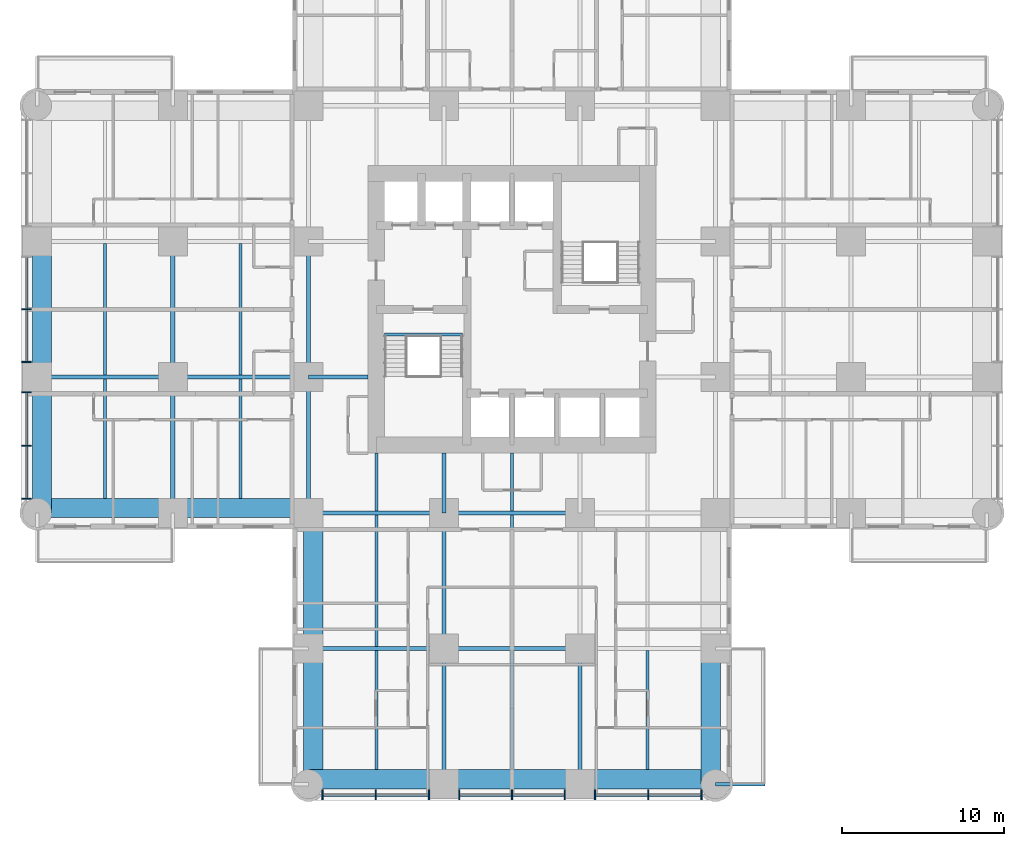
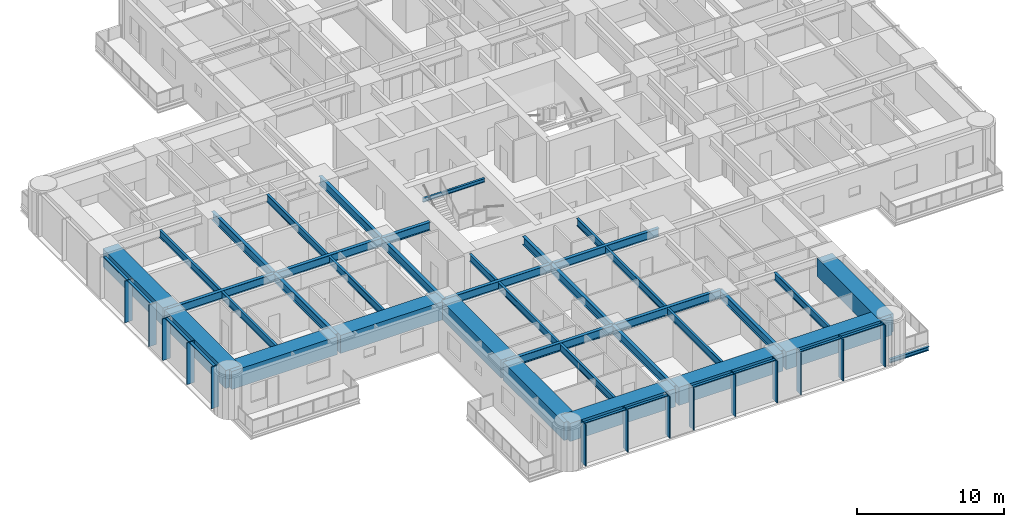
# One storey, part 2 of 17: 38 beams, 24 members, 2 elements without a shape of their own.
"""IFC4 building model written with IfcOpenShell, lengths in metres."""

from ifc_helpers import new_model, si_unit, direction, frame, origin, origin_2d, place, context, subcontext, project, spatial, rectangle, i_section, extrude, material, material_profile, profile_set, type_object, element, aggregate, save


model = new_model("IFC4")

# Units and contexts
model_context = context("Model", 3, precision=1e-05, world=origin(), true_north=direction((0.0, 1.0)))
body_context = subcontext(model_context, "Body", "Model", "MODEL_VIEW")
ifc_project = project(units=[si_unit("LENGTHUNIT", "METRE"), si_unit("AREAUNIT", "SQUARE_METRE"), si_unit("VOLUMEUNIT", "CUBIC_METRE"), si_unit("PLANEANGLEUNIT", "RADIAN"), si_unit("MASSUNIT", "GRAM", prefix="KILO")], contexts=[model_context])

# Site, building, storey
site_placement = place(None, origin())
site = spatial("IfcSite", under=ifc_project, at=site_placement, CompositionType="ELEMENT")
building_placement = place(site_placement, origin())
building = spatial("IfcBuilding", under=site, at=building_placement, Name="Torre Alcanfor", CompositionType="ELEMENT")
storey_placement = place(building_placement, frame((0.0, 0.0, 88.5)))
storey = spatial("IfcBuildingStorey", under=building, at=storey_placement, Name="L22", CompositionType="ELEMENT", Elevation=88.5)

# Beam
ifc_material_1 = material(Name="Steel ASTM A992 Grade 50", Category="steel")
ifc_material_profile_1 = material_profile(ifc_material_1, i_section(OverallWidth=0.205322265625, OverallDepth=0.309814453125, WebThickness=0.00927734375, FlangeThickness=0.016357421875, at=origin_2d()), Name="W12x50")
ifc_profile_set_1 = profile_set([ifc_material_profile_1], Name="Steel ASTM A992 Grade 50")
beam_type_1 = type_object("IfcBeamType", Name="Balcony cantilever beam W12x50", PredefinedType="BEAM", material=ifc_profile_set_1)
beam_1_placement = place(storey_placement, frame((42.0, 0.0, -0.35498046875), z_axis=(1.0, 0.0, 0.0), x_axis=(0.0, 1.0, 0.0)))
element("IfcBeam", 1, at=beam_1_placement, inside=storey, type_object=beam_type_1, Name="Balcony cantilever beam L22-S1 2", PredefinedType="BEAM", context=body_context, shape_type="SweptSolid", body=[
    extrude(i_section(OverallWidth=0.205322265625, OverallDepth=0.309814453125, WebThickness=0.00927734375, FlangeThickness=0.016357421875, at=origin_2d()), origin(), (0.0, 0.0, 1.0), 3.050048828125),
])

# Curtain wall, members
ifc_material_2 = material(Name="Aluminium and glass", Category="aluminium")
curtain_wall_type = type_object("IfcCurtainWallType", Name="CW-A unitised apartment glazing with vertical FIN", PredefinedType="NOTDEFINED", material=ifc_material_2)
curtain_wall_1_placement = place(storey_placement, origin())
curtain_wall_1 = element("IfcCurtainWall", 2, at=curtain_wall_1_placement, inside=storey, type_object=curtain_wall_type, Name="Curtain wall CW-A L22 2", PredefinedType="NOTDEFINED")
ifc_material_3 = material(Name="Bronze anodised aluminium", Category="aluminium")
ifc_material_profile_2 = material_profile(ifc_material_3, rectangle(XDim=0.60009765625, YDim=0.06494140625, at=origin_2d()), Name="CW-A mullion 65x600")
ifc_profile_set_2 = profile_set([ifc_material_profile_2], Name="Bronze anodised aluminium")
member_type_1 = type_object("IfcMemberType", Name="CW-A mullion with vertical FIN 65x600", PredefinedType="MULLION", material=ifc_profile_set_2)
member_1_placement = place(storey_placement, frame((-0.64990234375, 29.39990234375, 0.0), z_axis=(0.0, 0.0, 1.0), x_axis=(1.0, 0.0, 0.0)))
member_1 = element("IfcMember", 3, at=member_1_placement, type_object=member_type_1, Name="CW-A mullion 2.2", PredefinedType="MULLION", context=body_context, shape_type="SweptSolid", body=[
    extrude(rectangle(XDim=0.60009765625, YDim=0.06494140625, at=origin_2d()), origin(), (0.0, 0.0, 1.0), 3.449951171875),
])
member_2_placement = place(storey_placement, frame((-0.64990234375, 26.137451171875, 0.0), z_axis=(0.0, 0.0, 1.0), x_axis=(1.0, 0.0, 0.0)))
member_2 = element("IfcMember", 4, at=member_2_placement, type_object=member_type_1, Name="CW-A mullion 2.3", PredefinedType="MULLION", context=body_context, shape_type="SweptSolid", body=[
    extrude(rectangle(XDim=0.60009765625, YDim=0.06494140625, at=origin_2d()), origin(), (0.0, 0.0, 1.0), 3.449951171875),
])
member_3_placement = place(storey_placement, frame((-0.64990234375, 24.262451171875, 0.0), z_axis=(0.0, 0.0, 1.0), x_axis=(1.0, 0.0, 0.0)))
member_3 = element("IfcMember", 5, at=member_3_placement, type_object=member_type_1, Name="CW-A mullion 3.1", PredefinedType="MULLION", context=body_context, shape_type="SweptSolid", body=[
    extrude(rectangle(XDim=0.60009765625, YDim=0.06494140625, at=origin_2d()), origin(), (0.0, 0.0, 1.0), 3.449951171875),
])
member_4_placement = place(storey_placement, frame((-0.64990234375, 20.96484375, 0.0), z_axis=(0.0, 0.0, 1.0), x_axis=(1.0, 0.0, 0.0)))
member_4 = element("IfcMember", 6, at=member_4_placement, type_object=member_type_1, Name="CW-A mullion 3.2", PredefinedType="MULLION", context=body_context, shape_type="SweptSolid", body=[
    extrude(rectangle(XDim=0.60009765625, YDim=0.06494140625, at=origin_2d()), origin(), (0.0, 0.0, 1.0), 3.449951171875),
])
member_5_placement = place(storey_placement, frame((-0.64990234375, 17.6669921875, 0.0), z_axis=(0.0, 0.0, 1.0), x_axis=(1.0, 0.0, 0.0)))
member_5 = element("IfcMember", 7, at=member_5_placement, type_object=member_type_1, Name="CW-A mullion 3.3", PredefinedType="MULLION", context=body_context, shape_type="SweptSolid", body=[
    extrude(rectangle(XDim=0.60009765625, YDim=0.06494140625, at=origin_2d()), origin(), (0.0, 0.0, 1.0), 3.449951171875),
])

curtain_wall_2_placement = place(storey_placement, origin())
curtain_wall_2 = element("IfcCurtainWall", 8, at=curtain_wall_2_placement, inside=storey, type_object=curtain_wall_type, Name="Curtain wall CW-A L22 5", PredefinedType="NOTDEFINED")
member_6_placement = place(storey_placement, frame((17.6669921875, -0.64990234375, 0.0), z_axis=(0.0, 0.0, 1.0), x_axis=(0.0, 1.0, 0.0)))
member_6 = element("IfcMember", 9, at=member_6_placement, type_object=member_type_1, Name="CW-A mullion 1.1", PredefinedType="MULLION", context=body_context, shape_type="SweptSolid", body=[
    extrude(rectangle(XDim=0.60009765625, YDim=0.06494140625, at=origin_2d()), origin(), (0.0, 0.0, 1.0), 3.449951171875),
])
member_7_placement = place(storey_placement, frame((20.96484375, -0.64990234375, 0.0), z_axis=(0.0, 0.0, 1.0), x_axis=(0.0, 1.0, 0.0)))
member_7 = element("IfcMember", 10, at=member_7_placement, type_object=member_type_1, Name="CW-A mullion 1.2", PredefinedType="MULLION", context=body_context, shape_type="SweptSolid", body=[
    extrude(rectangle(XDim=0.60009765625, YDim=0.06494140625, at=origin_2d()), origin(), (0.0, 0.0, 1.0), 3.449951171875),
])
member_8_placement = place(storey_placement, frame((24.262451171875, -0.64990234375, 0.0), z_axis=(0.0, 0.0, 1.0), x_axis=(0.0, 1.0, 0.0)))
member_8 = element("IfcMember", 11, at=member_8_placement, type_object=member_type_1, Name="CW-A mullion 1.3", PredefinedType="MULLION", context=body_context, shape_type="SweptSolid", body=[
    extrude(rectangle(XDim=0.60009765625, YDim=0.06494140625, at=origin_2d()), origin(), (0.0, 0.0, 1.0), 3.449951171875),
])
member_9_placement = place(storey_placement, frame((26.137451171875, -0.64990234375, 0.0), z_axis=(0.0, 0.0, 1.0), x_axis=(0.0, 1.0, 0.0)))
member_9 = element("IfcMember", 12, at=member_9_placement, type_object=member_type_1, Name="CW-A mullion 2.1", PredefinedType="MULLION", context=body_context, shape_type="SweptSolid", body=[
    extrude(rectangle(XDim=0.60009765625, YDim=0.06494140625, at=origin_2d()), origin(), (0.0, 0.0, 1.0), 3.449951171875),
])
member_10_placement = place(storey_placement, frame((29.39990234375, -0.64990234375, 0.0), z_axis=(0.0, 0.0, 1.0), x_axis=(0.0, 1.0, 0.0)))
member_10 = element("IfcMember", 13, at=member_10_placement, type_object=member_type_1, Name="CW-A mullion 2.2", PredefinedType="MULLION", context=body_context, shape_type="SweptSolid", body=[
    extrude(rectangle(XDim=0.60009765625, YDim=0.06494140625, at=origin_2d()), origin(), (0.0, 0.0, 1.0), 3.449951171875),
])
member_11_placement = place(storey_placement, frame((32.66259765625, -0.64990234375, 0.0), z_axis=(0.0, 0.0, 1.0), x_axis=(0.0, 1.0, 0.0)))
member_11 = element("IfcMember", 14, at=member_11_placement, type_object=member_type_1, Name="CW-A mullion 2.3", PredefinedType="MULLION", context=body_context, shape_type="SweptSolid", body=[
    extrude(rectangle(XDim=0.60009765625, YDim=0.06494140625, at=origin_2d()), origin(), (0.0, 0.0, 1.0), 3.449951171875),
])
member_12_placement = place(storey_placement, frame((34.53759765625, -0.64990234375, 0.0), z_axis=(0.0, 0.0, 1.0), x_axis=(0.0, 1.0, 0.0)))
member_12 = element("IfcMember", 15, at=member_12_placement, type_object=member_type_1, Name="CW-A mullion 3.1", PredefinedType="MULLION", context=body_context, shape_type="SweptSolid", body=[
    extrude(rectangle(XDim=0.60009765625, YDim=0.06494140625, at=origin_2d()), origin(), (0.0, 0.0, 1.0), 3.449951171875),
])
member_13_placement = place(storey_placement, frame((37.835205078125, -0.64990234375, 0.0), z_axis=(0.0, 0.0, 1.0), x_axis=(0.0, 1.0, 0.0)))
member_13 = element("IfcMember", 16, at=member_13_placement, type_object=member_type_1, Name="CW-A mullion 3.2", PredefinedType="MULLION", context=body_context, shape_type="SweptSolid", body=[
    extrude(rectangle(XDim=0.60009765625, YDim=0.06494140625, at=origin_2d()), origin(), (0.0, 0.0, 1.0), 3.449951171875),
])
member_14_placement = place(storey_placement, frame((41.133056640625, -0.64990234375, 0.0), z_axis=(0.0, 0.0, 1.0), x_axis=(0.0, 1.0, 0.0)))
member_14 = element("IfcMember", 17, at=member_14_placement, type_object=member_type_1, Name="CW-A mullion 3.3", PredefinedType="MULLION", context=body_context, shape_type="SweptSolid", body=[
    extrude(rectangle(XDim=0.60009765625, YDim=0.06494140625, at=origin_2d()), origin(), (0.0, 0.0, 1.0), 3.449951171875),
])

# Member
ifc_material_4 = material(Name="Extruded aluminium", Category="aluminium")
ifc_material_profile_3 = material_profile(ifc_material_4, rectangle(XDim=0.199951171875, YDim=0.06494140625, at=origin_2d()), Name="CW-A transom 200x65")
ifc_profile_set_3 = profile_set([ifc_material_profile_3], Name="Extruded aluminium")
member_type_2 = type_object("IfcMemberType", Name="CW-A transom 65x200", PredefinedType="USERDEFINED", material=ifc_profile_set_3)
member_15_placement = place(storey_placement, frame((-0.64990234375, 32.6298828125, 3.41748046875), z_axis=(0.0, -1.0, 0.0), x_axis=(1.0, 0.0, 0.0)))
member_15 = element("IfcMember", 18, at=member_15_placement, type_object=member_type_2, Name="CW-A transom 2.1.2", ObjectType="TRANSOM", PredefinedType="USERDEFINED", context=body_context, shape_type="SweptSolid", body=[
    extrude(rectangle(XDim=0.199951171875, YDim=0.06494140625, at=origin_2d()), origin(), (0.0, 0.0, 1.0), 3.197265625),
])

member_16_placement = place(storey_placement, frame((-0.64990234375, 29.367431640625, 3.41748046875), z_axis=(0.0, -1.0, 0.0), x_axis=(1.0, 0.0, 0.0)))
member_16 = element("IfcMember", 19, at=member_16_placement, type_object=member_type_2, Name="CW-A transom 2.2.2", ObjectType="TRANSOM", PredefinedType="USERDEFINED", context=body_context, shape_type="SweptSolid", body=[
    extrude(rectangle(XDim=0.199951171875, YDim=0.06494140625, at=origin_2d()), origin(), (0.0, 0.0, 1.0), 3.197509765625),
])

member_17_placement = place(storey_placement, frame((-0.64990234375, 24.22998046875, 3.41748046875), z_axis=(0.0, -1.0, 0.0), x_axis=(1.0, 0.0, 0.0)))
member_17 = element("IfcMember", 20, at=member_17_placement, type_object=member_type_2, Name="CW-A transom 3.1.2", ObjectType="TRANSOM", PredefinedType="USERDEFINED", context=body_context, shape_type="SweptSolid", body=[
    extrude(rectangle(XDim=0.199951171875, YDim=0.06494140625, at=origin_2d()), origin(), (0.0, 0.0, 1.0), 3.232666015625),
])

member_18_placement = place(storey_placement, frame((-0.64990234375, 20.93212890625, 3.41748046875), z_axis=(0.0, -1.0, 0.0), x_axis=(1.0, 0.0, 0.0)))
member_18 = element("IfcMember", 21, at=member_18_placement, type_object=member_type_2, Name="CW-A transom 3.2.2", ObjectType="TRANSOM", PredefinedType="USERDEFINED", context=body_context, shape_type="SweptSolid", body=[
    extrude(rectangle(XDim=0.199951171875, YDim=0.06494140625, at=origin_2d()), origin(), (0.0, 0.0, 1.0), 3.232666015625),
])

aggregate(curtain_wall_1, [member_1, member_2, member_15, member_16, member_3, member_4, member_5, member_17, member_18])

member_19_placement = place(storey_placement, frame((17.699462890625, -0.64990234375, 3.41748046875), z_axis=(1.0, 0.0, 0.0), x_axis=(0.0, 1.0, 0.0)))
member_19 = element("IfcMember", 22, at=member_19_placement, type_object=member_type_2, Name="CW-A transom 1.1.2", ObjectType="TRANSOM", PredefinedType="USERDEFINED", context=body_context, shape_type="SweptSolid", body=[
    extrude(rectangle(XDim=0.199951171875, YDim=0.06494140625, at=origin_2d()), origin(), (0.0, 0.0, 1.0), 3.232666015625),
])

member_20_placement = place(storey_placement, frame((20.997314453125, -0.64990234375, 3.41748046875), z_axis=(1.0, 0.0, 0.0), x_axis=(0.0, 1.0, 0.0)))
member_20 = element("IfcMember", 23, at=member_20_placement, type_object=member_type_2, Name="CW-A transom 1.2.2", ObjectType="TRANSOM", PredefinedType="USERDEFINED", context=body_context, shape_type="SweptSolid", body=[
    extrude(rectangle(XDim=0.199951171875, YDim=0.06494140625, at=origin_2d()), origin(), (0.0, 0.0, 1.0), 3.232666015625),
])

member_21_placement = place(storey_placement, frame((26.169921875, -0.64990234375, 3.41748046875), z_axis=(1.0, 0.0, 0.0), x_axis=(0.0, 1.0, 0.0)))
member_21 = element("IfcMember", 24, at=member_21_placement, type_object=member_type_2, Name="CW-A transom 2.1.2", ObjectType="TRANSOM", PredefinedType="USERDEFINED", context=body_context, shape_type="SweptSolid", body=[
    extrude(rectangle(XDim=0.199951171875, YDim=0.06494140625, at=origin_2d()), origin(), (0.0, 0.0, 1.0), 3.197509765625),
])

member_22_placement = place(storey_placement, frame((29.4326171875, -0.64990234375, 3.41748046875), z_axis=(1.0, 0.0, 0.0), x_axis=(0.0, 1.0, 0.0)))
member_22 = element("IfcMember", 25, at=member_22_placement, type_object=member_type_2, Name="CW-A transom 2.2.2", ObjectType="TRANSOM", PredefinedType="USERDEFINED", context=body_context, shape_type="SweptSolid", body=[
    extrude(rectangle(XDim=0.199951171875, YDim=0.06494140625, at=origin_2d()), origin(), (0.0, 0.0, 1.0), 3.197265625),
])

member_23_placement = place(storey_placement, frame((34.570068359375, -0.64990234375, 3.41748046875), z_axis=(1.0, 0.0, 0.0), x_axis=(0.0, 1.0, 0.0)))
member_23 = element("IfcMember", 26, at=member_23_placement, type_object=member_type_2, Name="CW-A transom 3.1.2", ObjectType="TRANSOM", PredefinedType="USERDEFINED", context=body_context, shape_type="SweptSolid", body=[
    extrude(rectangle(XDim=0.199951171875, YDim=0.06494140625, at=origin_2d()), origin(), (0.0, 0.0, 1.0), 3.232666015625),
])

member_24_placement = place(storey_placement, frame((37.86767578125, -0.64990234375, 3.41748046875), z_axis=(1.0, 0.0, 0.0), x_axis=(0.0, 1.0, 0.0)))
member_24 = element("IfcMember", 27, at=member_24_placement, type_object=member_type_2, Name="CW-A transom 3.2.2", ObjectType="TRANSOM", PredefinedType="USERDEFINED", context=body_context, shape_type="SweptSolid", body=[
    extrude(rectangle(XDim=0.199951171875, YDim=0.06494140625, at=origin_2d()), origin(), (0.0, 0.0, 1.0), 3.23291015625),
])

aggregate(curtain_wall_2, [member_6, member_7, member_8, member_19, member_20, member_9, member_10, member_11, member_21, member_22, member_12, member_13, member_14, member_23, member_24])

# Beams
ifc_material_5 = material(Name="Steel ASTM A992 Grade 50", Category="steel")
ifc_material_profile_4 = material_profile(ifc_material_5, i_section(OverallWidth=0.25390625, OverallDepth=0.683349609375, WebThickness=0.012451171875, FlangeThickness=0.01904296875, at=origin_2d()), Name="W27x94")
ifc_profile_set_4 = profile_set([ifc_material_profile_4], Name="Steel ASTM A992 Grade 50")
beam_type_2 = type_object("IfcBeamType", Name="Girder W27x94", PredefinedType="BEAM", material=ifc_profile_set_4)
beam_2_placement = place(storey_placement, frame((16.800048828125, 8.39990234375, 3.1083984375), z_axis=(1.0, 0.0, 0.0), x_axis=(0.0, 1.0, 0.0)))
element("IfcBeam", 28, at=beam_2_placement, inside=storey, type_object=beam_type_2, Name="Beam 3D-4D under L23", PredefinedType="BEAM", context=body_context, shape_type="SweptSolid", body=[
    extrude(i_section(OverallWidth=0.25390625, OverallDepth=0.683349609375, WebThickness=0.012451171875, FlangeThickness=0.01904296875, at=origin_2d()), origin(), (0.0, 0.0, 1.0), 8.39990234375),
])
beam_3_placement = place(storey_placement, frame((25.199951171875, 8.39990234375, 3.1083984375), z_axis=(1.0, 0.0, 0.0), x_axis=(0.0, 1.0, 0.0)))
element("IfcBeam", 29, at=beam_3_placement, inside=storey, type_object=beam_type_2, Name="Beam 4D-5D under L23", PredefinedType="BEAM", context=body_context, shape_type="SweptSolid", body=[
    extrude(i_section(OverallWidth=0.25390625, OverallDepth=0.683349609375, WebThickness=0.012451171875, FlangeThickness=0.01904296875, at=origin_2d()), origin(), (0.0, 0.0, 1.0), 8.400146484375),
])
beam_4_placement = place(storey_placement, frame((16.800048828125, 16.800048828125, 3.1083984375), z_axis=(1.0, 0.0, 0.0), x_axis=(0.0, 1.0, 0.0)))
element("IfcBeam", 30, at=beam_4_placement, inside=storey, type_object=beam_type_2, Name="Beam 3E-4E under L23", PredefinedType="BEAM", context=body_context, shape_type="SweptSolid", body=[
    extrude(i_section(OverallWidth=0.25390625, OverallDepth=0.683349609375, WebThickness=0.012451171875, FlangeThickness=0.01904296875, at=origin_2d()), origin(), (0.0, 0.0, 1.0), 8.39990234375),
])
beam_5_placement = place(storey_placement, frame((25.199951171875, 16.800048828125, 3.1083984375), z_axis=(1.0, 0.0, 0.0), x_axis=(0.0, 1.0, 0.0)))
element("IfcBeam", 31, at=beam_5_placement, inside=storey, type_object=beam_type_2, Name="Beam 4E-5E under L23", PredefinedType="BEAM", context=body_context, shape_type="SweptSolid", body=[
    extrude(i_section(OverallWidth=0.25390625, OverallDepth=0.683349609375, WebThickness=0.012451171875, FlangeThickness=0.01904296875, at=origin_2d()), origin(), (0.0, 0.0, 1.0), 8.400146484375),
])
beam_6_placement = place(storey_placement, frame((0.0, 25.199951171875, 3.1083984375), z_axis=(1.0, 0.0, 0.0), x_axis=(0.0, 1.0, 0.0)))
element("IfcBeam", 32, at=beam_6_placement, inside=storey, type_object=beam_type_2, Name="Beam 1F-2F under L23", PredefinedType="BEAM", context=body_context, shape_type="SweptSolid", body=[
    extrude(i_section(OverallWidth=0.25390625, OverallDepth=0.683349609375, WebThickness=0.012451171875, FlangeThickness=0.01904296875, at=origin_2d()), origin(), (0.0, 0.0, 1.0), 8.39990234375),
])
beam_7_placement = place(storey_placement, frame((8.39990234375, 25.199951171875, 3.1083984375), z_axis=(1.0, 0.0, 0.0), x_axis=(0.0, 1.0, 0.0)))
element("IfcBeam", 33, at=beam_7_placement, inside=storey, type_object=beam_type_2, Name="Beam 2F-3F under L23", PredefinedType="BEAM", context=body_context, shape_type="SweptSolid", body=[
    extrude(i_section(OverallWidth=0.25390625, OverallDepth=0.683349609375, WebThickness=0.012451171875, FlangeThickness=0.01904296875, at=origin_2d()), origin(), (0.0, 0.0, 1.0), 8.400146484375),
])
beam_8_placement = place(storey_placement, frame((8.39990234375, 16.800048828125, 3.1083984375), z_axis=(0.0, 1.0, 0.0), x_axis=(-1.0, 0.0, 0.0)))
element("IfcBeam", 34, at=beam_8_placement, inside=storey, type_object=beam_type_2, Name="Beam 2E-2F under L23", PredefinedType="BEAM", context=body_context, shape_type="SweptSolid", body=[
    extrude(i_section(OverallWidth=0.25390625, OverallDepth=0.683349609375, WebThickness=0.012451171875, FlangeThickness=0.01904296875, at=origin_2d()), origin(), (0.0, 0.0, 1.0), 8.39990234375),
])
beam_9_placement = place(storey_placement, frame((8.39990234375, 25.199951171875, 3.1083984375), z_axis=(0.0, 1.0, 0.0), x_axis=(-1.0, 0.0, 0.0)))
element("IfcBeam", 35, at=beam_9_placement, inside=storey, type_object=beam_type_2, Name="Beam 2F-2G under L23", PredefinedType="BEAM", context=body_context, shape_type="SweptSolid", body=[
    extrude(i_section(OverallWidth=0.25390625, OverallDepth=0.683349609375, WebThickness=0.012451171875, FlangeThickness=0.01904296875, at=origin_2d()), origin(), (0.0, 0.0, 1.0), 8.400146484375),
])
beam_10_placement = place(storey_placement, frame((16.800048828125, 16.800048828125, 3.1083984375), z_axis=(0.0, 1.0, 0.0), x_axis=(-1.0, 0.0, 0.0)))
element("IfcBeam", 36, at=beam_10_placement, inside=storey, type_object=beam_type_2, Name="Beam 3E-3F under L23", PredefinedType="BEAM", context=body_context, shape_type="SweptSolid", body=[
    extrude(i_section(OverallWidth=0.25390625, OverallDepth=0.683349609375, WebThickness=0.012451171875, FlangeThickness=0.01904296875, at=origin_2d()), origin(), (0.0, 0.0, 1.0), 8.39990234375),
])
beam_11_placement = place(storey_placement, frame((16.800048828125, 25.199951171875, 3.1083984375), z_axis=(0.0, 1.0, 0.0), x_axis=(-1.0, 0.0, 0.0)))
element("IfcBeam", 37, at=beam_11_placement, inside=storey, type_object=beam_type_2, Name="Beam 3F-3G under L23", PredefinedType="BEAM", context=body_context, shape_type="SweptSolid", body=[
    extrude(i_section(OverallWidth=0.25390625, OverallDepth=0.683349609375, WebThickness=0.012451171875, FlangeThickness=0.01904296875, at=origin_2d()), origin(), (0.0, 0.0, 1.0), 8.400146484375),
])
beam_12_placement = place(storey_placement, frame((25.199951171875, 0.0, 3.1083984375), z_axis=(0.0, 1.0, 0.0), x_axis=(-1.0, 0.0, 0.0)))
element("IfcBeam", 38, at=beam_12_placement, inside=storey, type_object=beam_type_2, Name="Beam 4C-4D under L23", PredefinedType="BEAM", context=body_context, shape_type="SweptSolid", body=[
    extrude(i_section(OverallWidth=0.25390625, OverallDepth=0.683349609375, WebThickness=0.012451171875, FlangeThickness=0.01904296875, at=origin_2d()), origin(), (0.0, 0.0, 1.0), 8.39990234375),
])
beam_13_placement = place(storey_placement, frame((25.199951171875, 8.39990234375, 3.1083984375), z_axis=(0.0, 1.0, 0.0), x_axis=(-1.0, 0.0, 0.0)))
element("IfcBeam", 39, at=beam_13_placement, inside=storey, type_object=beam_type_2, Name="Beam 4D-4E under L23", PredefinedType="BEAM", context=body_context, shape_type="SweptSolid", body=[
    extrude(i_section(OverallWidth=0.25390625, OverallDepth=0.683349609375, WebThickness=0.012451171875, FlangeThickness=0.01904296875, at=origin_2d()), origin(), (0.0, 0.0, 1.0), 8.400146484375),
])
beam_14_placement = place(storey_placement, frame((33.60009765625, 0.0, 3.1083984375), z_axis=(0.0, 1.0, 0.0), x_axis=(-1.0, 0.0, 0.0)))
element("IfcBeam", 40, at=beam_14_placement, inside=storey, type_object=beam_type_2, Name="Beam 5C-5D under L23", PredefinedType="BEAM", context=body_context, shape_type="SweptSolid", body=[
    extrude(i_section(OverallWidth=0.25390625, OverallDepth=0.683349609375, WebThickness=0.012451171875, FlangeThickness=0.01904296875, at=origin_2d()), origin(), (0.0, 0.0, 1.0), 8.39990234375),
])
ifc_material_6 = material(Name="Steel ASTM A992 Grade 50", Category="steel")
ifc_material_profile_5 = material_profile(ifc_material_6, i_section(OverallWidth=0.25390625, OverallDepth=0.683349609375, WebThickness=0.012451171875, FlangeThickness=0.01904296875, at=origin_2d()), Name="W27x94")
ifc_profile_set_5 = profile_set([ifc_material_profile_5], Name="Steel ASTM A992 Grade 50")
beam_type_3 = type_object("IfcBeamType", Name="Girder, part bay W27x94", PredefinedType="BEAM", material=ifc_profile_set_5)
for number, where, z_axis, x_axis, name in (
    (41, (25.199951171875, 16.800048828125, 3.1083984375), (0.0, 1.0, 0.0), (-1.0, 0.0, 0.0), "Beam 4E-420_5 under L23"),
    (42, (16.800048828125, 25.199951171875, 3.1083984375), (1.0, 0.0, 0.0), (0.0, 1.0, 0.0), "Beam 3F-20_5F under L23"),
):
    element("IfcBeam", number, at=place(storey_placement, frame(where, z_axis=z_axis, x_axis=x_axis)), inside=storey, type_object=beam_type_3, Name=name, PredefinedType="BEAM", context=body_context, shape_type="SweptSolid", body=[
        extrude(i_section(OverallWidth=0.25390625, OverallDepth=0.683349609375, WebThickness=0.012451171875, FlangeThickness=0.01904296875, at=origin_2d()), origin(), (0.0, 0.0, 1.0), 3.699951171875),
    ])
ifc_material_7 = material(Name="Concrete f'c 70 MPa", Category="concrete")
ifc_material_profile_6 = material_profile(ifc_material_7, rectangle(XDim=1.199951171875, YDim=1.5, at=origin_2d()), Name="1200x1500")
ifc_profile_set_6 = profile_set([ifc_material_profile_6], Name="Concrete f'c 70 MPa")
beam_type_4 = type_object("IfcBeamType", Name="RC perimeter beam 1200x1500", PredefinedType="BEAM", material=ifc_profile_set_6)
beam_15_placement = place(storey_placement, frame((16.800048828125, 0.300048828125, 2.699951171875), z_axis=(1.0, 0.0, 0.0), x_axis=(0.0, 1.0, 0.0)))
element("IfcBeam", 43, at=beam_15_placement, inside=storey, type_object=beam_type_4, Name="Beam 3C-4C under L23", PredefinedType="BEAM", context=body_context, shape_type="SweptSolid", body=[
    extrude(rectangle(XDim=1.199951171875, YDim=1.5, at=origin_2d()), origin(), (0.0, 0.0, 1.0), 8.27294921875),
])
beam_16_placement = place(storey_placement, frame((25.326904296875, 0.300048828125, 2.699951171875), z_axis=(1.0, 0.0, 0.0), x_axis=(0.0, 1.0, 0.0)))
element("IfcBeam", 44, at=beam_16_placement, inside=storey, type_object=beam_type_4, Name="Beam 4C-5C under L23", PredefinedType="BEAM", context=body_context, shape_type="SweptSolid", body=[
    extrude(rectangle(XDim=1.199951171875, YDim=1.5, at=origin_2d()), origin(), (0.0, 0.0, 1.0), 8.14599609375),
])
for number, where, z_axis, x_axis, name in (
    (45, (33.72705078125, 0.300048828125, 2.699951171875), (1.0, 0.0, 0.0), (0.0, 1.0, 0.0), "Beam 5C-6C under L23"),
    (46, (0.0, 17.10009765625, 2.699951171875), (1.0, 0.0, 0.0), (0.0, 1.0, 0.0), "Beam 1E-2E under L23"),
):
    element("IfcBeam", number, at=place(storey_placement, frame(where, z_axis=z_axis, x_axis=x_axis)), inside=storey, type_object=beam_type_4, Name=name, PredefinedType="BEAM", context=body_context, shape_type="SweptSolid", body=[
        extrude(rectangle(XDim=1.199951171875, YDim=1.5, at=origin_2d()), origin(), (0.0, 0.0, 1.0), 8.27294921875),
    ])
beam_17_placement = place(storey_placement, frame((8.527099609375, 17.10009765625, 2.699951171875), z_axis=(1.0, 0.0, 0.0), x_axis=(0.0, 1.0, 0.0)))
element("IfcBeam", 47, at=beam_17_placement, inside=storey, type_object=beam_type_4, Name="Beam 2E-3E under L23", PredefinedType="BEAM", context=body_context, shape_type="SweptSolid", body=[
    extrude(rectangle(XDim=1.199951171875, YDim=1.5, at=origin_2d()), origin(), (0.0, 0.0, 1.0), 8.14599609375),
])
beam_18_placement = place(storey_placement, frame((0.300048828125, 16.800048828125, 2.699951171875), z_axis=(0.0, 1.0, 0.0), x_axis=(-1.0, 0.0, 0.0)))
element("IfcBeam", 48, at=beam_18_placement, inside=storey, type_object=beam_type_4, Name="Beam 1E-1F under L23", PredefinedType="BEAM", context=body_context, shape_type="SweptSolid", body=[
    extrude(rectangle(XDim=1.199951171875, YDim=1.5, at=origin_2d()), origin(), (0.0, 0.0, 1.0), 8.27294921875),
])
beam_19_placement = place(storey_placement, frame((0.300048828125, 25.326904296875, 2.699951171875), z_axis=(0.0, 1.0, 0.0), x_axis=(-1.0, 0.0, 0.0)))
element("IfcBeam", 49, at=beam_19_placement, inside=storey, type_object=beam_type_4, Name="Beam 1F-1G under L23", PredefinedType="BEAM", context=body_context, shape_type="SweptSolid", body=[
    extrude(rectangle(XDim=1.199951171875, YDim=1.5, at=origin_2d()), origin(), (0.0, 0.0, 1.0), 8.14599609375),
])
beam_20_placement = place(storey_placement, frame((17.10009765625, 0.0, 2.699951171875), z_axis=(0.0, 1.0, 0.0), x_axis=(-1.0, 0.0, 0.0)))
element("IfcBeam", 50, at=beam_20_placement, inside=storey, type_object=beam_type_4, Name="Beam 3C-3D under L23", PredefinedType="BEAM", context=body_context, shape_type="SweptSolid", body=[
    extrude(rectangle(XDim=1.199951171875, YDim=1.5, at=origin_2d()), origin(), (0.0, 0.0, 1.0), 8.27294921875),
])
beam_21_placement = place(storey_placement, frame((17.10009765625, 8.527099609375, 2.699951171875), z_axis=(0.0, 1.0, 0.0), x_axis=(-1.0, 0.0, 0.0)))
element("IfcBeam", 51, at=beam_21_placement, inside=storey, type_object=beam_type_4, Name="Beam 3D-3E under L23", PredefinedType="BEAM", context=body_context, shape_type="SweptSolid", body=[
    extrude(rectangle(XDim=1.199951171875, YDim=1.5, at=origin_2d()), origin(), (0.0, 0.0, 1.0), 8.14599609375),
])
beam_22_placement = place(storey_placement, frame((41.699951171875, 0.0, 2.699951171875), z_axis=(0.0, 1.0, 0.0), x_axis=(-1.0, 0.0, 0.0)))
element("IfcBeam", 52, at=beam_22_placement, inside=storey, type_object=beam_type_4, Name="Beam 6C-6D under L23", PredefinedType="BEAM", context=body_context, shape_type="SweptSolid", body=[
    extrude(rectangle(XDim=1.199951171875, YDim=1.5, at=origin_2d()), origin(), (0.0, 0.0, 1.0), 8.27294921875),
])
ifc_material_8 = material(Name="Steel ASTM A992 Grade 50", Category="steel")
ifc_material_profile_7 = material_profile(ifc_material_8, i_section(OverallWidth=0.1787109375, OverallDepth=0.60205078125, WebThickness=0.010986328125, FlangeThickness=0.014892578125, at=origin_2d()), Name="W24x62")
ifc_profile_set_7 = profile_set([ifc_material_profile_7], Name="Steel ASTM A992 Grade 50")
beam_type_5 = type_object("IfcBeamType", Name="Secondary beam W24x62", PredefinedType="BEAM", material=ifc_profile_set_7)
beam_23_placement = place(storey_placement, frame((4.199951171875, 17.699951171875, 3.14892578125), z_axis=(0.0, 1.0, 0.0), x_axis=(-1.0, 0.0, 0.0)))
element("IfcBeam", 53, at=beam_23_placement, inside=storey, type_object=beam_type_5, Name="Beam 4_2E-4_2F under L23", PredefinedType="BEAM", context=body_context, shape_type="SweptSolid", body=[
    extrude(i_section(OverallWidth=0.1787109375, OverallDepth=0.60205078125, WebThickness=0.010986328125, FlangeThickness=0.014892578125, at=origin_2d()), origin(), (0.0, 0.0, 1.0), 7.373046875),
])
beam_24_placement = place(storey_placement, frame((4.199951171875, 25.326904296875, 3.14892578125), z_axis=(0.0, 1.0, 0.0), x_axis=(-1.0, 0.0, 0.0)))
element("IfcBeam", 54, at=beam_24_placement, inside=storey, type_object=beam_type_5, Name="Beam 4_2F-4_2G under L23", PredefinedType="BEAM", context=body_context, shape_type="SweptSolid", body=[
    extrude(i_section(OverallWidth=0.1787109375, OverallDepth=0.60205078125, WebThickness=0.010986328125, FlangeThickness=0.014892578125, at=origin_2d()), origin(), (0.0, 0.0, 1.0), 8.14599609375),
])
beam_25_placement = place(storey_placement, frame((12.60009765625, 17.699951171875, 3.14892578125), z_axis=(0.0, 1.0, 0.0), x_axis=(-1.0, 0.0, 0.0)))
element("IfcBeam", 55, at=beam_25_placement, inside=storey, type_object=beam_type_5, Name="Beam 12_6E-12_6F under L23", PredefinedType="BEAM", context=body_context, shape_type="SweptSolid", body=[
    extrude(i_section(OverallWidth=0.1787109375, OverallDepth=0.60205078125, WebThickness=0.010986328125, FlangeThickness=0.014892578125, at=origin_2d()), origin(), (0.0, 0.0, 1.0), 7.373046875),
])
beam_26_placement = place(storey_placement, frame((12.60009765625, 25.326904296875, 3.14892578125), z_axis=(0.0, 1.0, 0.0), x_axis=(-1.0, 0.0, 0.0)))
element("IfcBeam", 56, at=beam_26_placement, inside=storey, type_object=beam_type_5, Name="Beam 12_6F-12_6G under L23", PredefinedType="BEAM", context=body_context, shape_type="SweptSolid", body=[
    extrude(i_section(OverallWidth=0.1787109375, OverallDepth=0.60205078125, WebThickness=0.010986328125, FlangeThickness=0.014892578125, at=origin_2d()), origin(), (0.0, 0.0, 1.0), 8.14599609375),
])
beam_27_placement = place(storey_placement, frame((21.0, 0.89990234375, 3.14892578125), z_axis=(0.0, 1.0, 0.0), x_axis=(-1.0, 0.0, 0.0)))
element("IfcBeam", 57, at=beam_27_placement, inside=storey, type_object=beam_type_5, Name="Beam 21C-21D under L23", PredefinedType="BEAM", context=body_context, shape_type="SweptSolid", body=[
    extrude(i_section(OverallWidth=0.1787109375, OverallDepth=0.60205078125, WebThickness=0.010986328125, FlangeThickness=0.014892578125, at=origin_2d()), origin(), (0.0, 0.0, 1.0), 7.373046875),
])
beam_28_placement = place(storey_placement, frame((21.0, 8.527099609375, 3.14892578125), z_axis=(0.0, 1.0, 0.0), x_axis=(-1.0, 0.0, 0.0)))
element("IfcBeam", 58, at=beam_28_placement, inside=storey, type_object=beam_type_5, Name="Beam 21D-21E under L23", PredefinedType="BEAM", context=body_context, shape_type="SweptSolid", body=[
    extrude(i_section(OverallWidth=0.1787109375, OverallDepth=0.60205078125, WebThickness=0.010986328125, FlangeThickness=0.014892578125, at=origin_2d()), origin(), (0.0, 0.0, 1.0), 8.14599609375),
])
beam_29_placement = place(storey_placement, frame((29.39990234375, 0.89990234375, 3.14892578125), z_axis=(0.0, 1.0, 0.0), x_axis=(-1.0, 0.0, 0.0)))
element("IfcBeam", 59, at=beam_29_placement, inside=storey, type_object=beam_type_5, Name="Beam 29_4C-29_4D under L23", PredefinedType="BEAM", context=body_context, shape_type="SweptSolid", body=[
    extrude(i_section(OverallWidth=0.1787109375, OverallDepth=0.60205078125, WebThickness=0.010986328125, FlangeThickness=0.014892578125, at=origin_2d()), origin(), (0.0, 0.0, 1.0), 7.373046875),
])
beam_30_placement = place(storey_placement, frame((29.39990234375, 8.527099609375, 3.14892578125), z_axis=(0.0, 1.0, 0.0), x_axis=(-1.0, 0.0, 0.0)))
element("IfcBeam", 60, at=beam_30_placement, inside=storey, type_object=beam_type_5, Name="Beam 29_4D-29_4E under L23", PredefinedType="BEAM", context=body_context, shape_type="SweptSolid", body=[
    extrude(i_section(OverallWidth=0.1787109375, OverallDepth=0.60205078125, WebThickness=0.010986328125, FlangeThickness=0.014892578125, at=origin_2d()), origin(), (0.0, 0.0, 1.0), 8.14599609375),
])
beam_31_placement = place(storey_placement, frame((37.800048828125, 0.89990234375, 3.14892578125), z_axis=(0.0, 1.0, 0.0), x_axis=(-1.0, 0.0, 0.0)))
element("IfcBeam", 61, at=beam_31_placement, inside=storey, type_object=beam_type_5, Name="Beam 37_8C-37_8D under L23", PredefinedType="BEAM", context=body_context, shape_type="SweptSolid", body=[
    extrude(i_section(OverallWidth=0.1787109375, OverallDepth=0.60205078125, WebThickness=0.010986328125, FlangeThickness=0.014892578125, at=origin_2d()), origin(), (0.0, 0.0, 1.0), 7.373046875),
])
ifc_material_9 = material(Name="Steel ASTM A992 Grade 50", Category="steel")
ifc_material_profile_8 = material_profile(ifc_material_9, i_section(OverallWidth=0.1787109375, OverallDepth=0.60205078125, WebThickness=0.010986328125, FlangeThickness=0.014892578125, at=origin_2d()), Name="W24x62")
ifc_profile_set_8 = profile_set([ifc_material_profile_8], Name="Steel ASTM A992 Grade 50")
beam_type_6 = type_object("IfcBeamType", Name="Secondary beam, part bay W24x62", PredefinedType="BEAM", material=ifc_profile_set_8)
for number, where, z_axis, x_axis, name in (
    (62, (21.0, 16.927001953125, 3.14892578125), (0.0, 1.0, 0.0), (-1.0, 0.0, 0.0), "Beam 21E-2120_5 under L23"),
    (63, (29.39990234375, 16.927001953125, 3.14892578125), (0.0, 1.0, 0.0), (-1.0, 0.0, 0.0), "Beam 29_4E-29_420_5 under L23"),
):
    element("IfcBeam", number, at=place(storey_placement, frame(where, z_axis=z_axis, x_axis=x_axis)), inside=storey, type_object=beam_type_6, Name=name, PredefinedType="BEAM", context=body_context, shape_type="SweptSolid", body=[
        extrude(i_section(OverallWidth=0.1787109375, OverallDepth=0.60205078125, WebThickness=0.010986328125, FlangeThickness=0.014892578125, at=origin_2d()), origin(), (0.0, 0.0, 1.0), 3.572998046875),
    ])
ifc_material_10 = material(Name="Steel ASTM A992 Grade 50", Category="steel")
ifc_material_profile_9 = material_profile(ifc_material_10, i_section(OverallWidth=0.164794921875, OverallDepth=0.309814453125, WebThickness=0.005859375, FlangeThickness=0.009765625, at=origin_2d()), Name="W12x26")
ifc_profile_set_9 = profile_set([ifc_material_profile_9], Name="Steel ASTM A992 Grade 50")
beam_type_7 = type_object("IfcBeamType", Name="Stair landing beam W12x26", PredefinedType="BEAM", material=ifc_profile_set_9)
beam_32_placement = place(storey_placement, frame((21.5, 27.83740234375, 3.2451171875), z_axis=(1.0, 0.0, 0.0), x_axis=(0.0, 1.0, 0.0)))
element("IfcBeam", 64, at=beam_32_placement, inside=storey, type_object=beam_type_7, Name="Landing trimmer S1 L23", PredefinedType="BEAM", context=body_context, shape_type="SweptSolid", body=[
    extrude(i_section(OverallWidth=0.164794921875, OverallDepth=0.309814453125, WebThickness=0.005859375, FlangeThickness=0.009765625, at=origin_2d()), origin(), (0.0, 0.0, 1.0), 4.85009765625),
])

save(model, "model.ifc")
